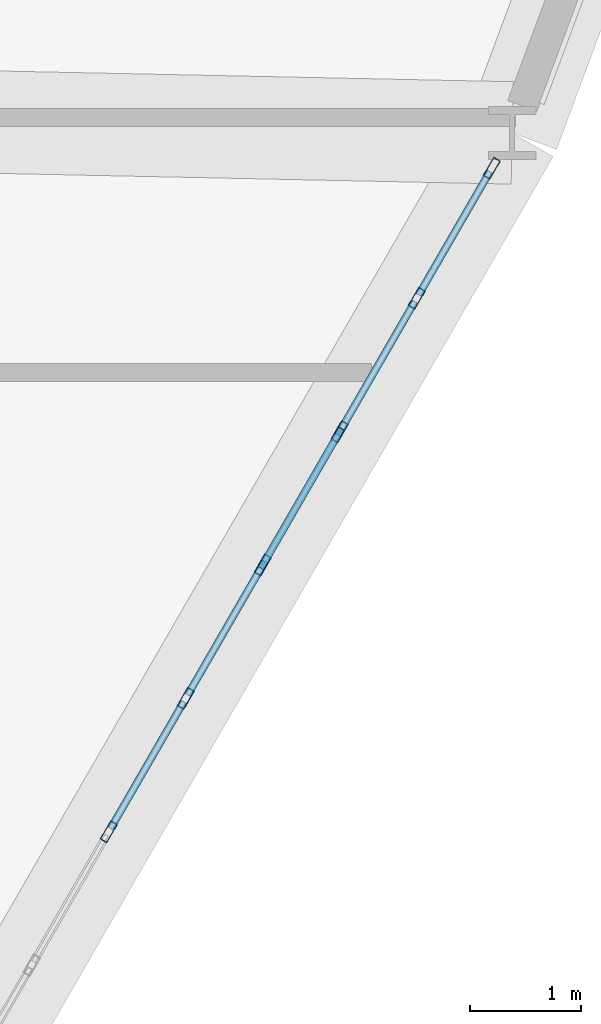
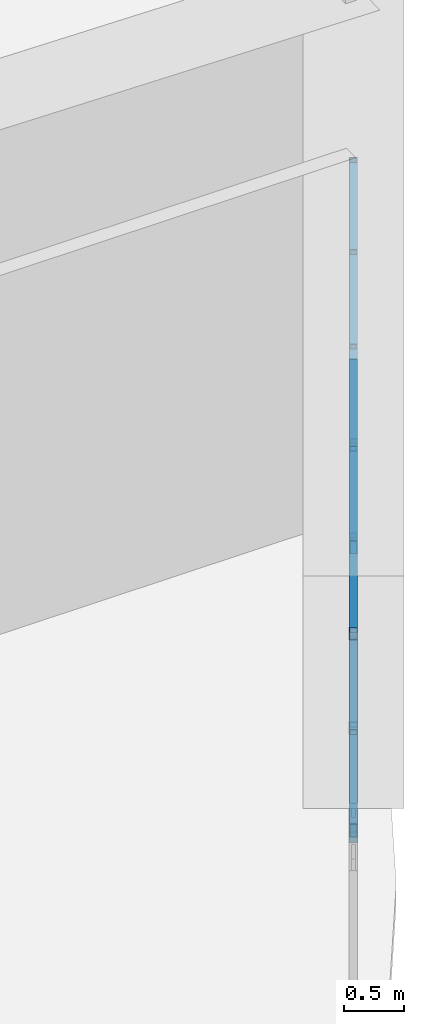
# One storey, part 9 of 20: 17 members, 1 element without a shape of its own.
"""IFC4 building model written with IfcOpenShell, lengths in metres."""

from ifc_helpers import new_model, si_unit, derived_unit, direction, frame, origin, origin_2d, place, context, subcontext, project, spatial, hollow_rectangle, extrude, source, transform, mapped, material, layer, layer_set, material_profile, profile_set, type_object, element, aggregate, save


model = new_model("IFC4")

# Units and contexts
model_context = context("Model", 3, precision=1e-05, world=origin(), true_north=direction((0.0, 1.0)))
body_context = subcontext(model_context, "Body", "Model", "MODEL_VIEW")
ifc_project = project(units=[si_unit("LENGTHUNIT", "METRE"), si_unit("AREAUNIT", "SQUARE_METRE"), si_unit("VOLUMEUNIT", "CUBIC_METRE"), si_unit("PLANEANGLEUNIT", "RADIAN"), si_unit("MASSUNIT", "GRAM", prefix="KILO"), derived_unit("THERMALTRANSMITTANCEUNIT", [(si_unit("POWERUNIT", "WATT"), 1), (si_unit("LENGTHUNIT", "METRE"), -2), (si_unit("THERMODYNAMICTEMPERATUREUNIT", "KELVIN"), -1)])], contexts=[model_context])

# Site, building, storey
site_placement = place(None, origin())
site = spatial("IfcSite", under=ifc_project, at=site_placement, CompositionType="ELEMENT")
building_placement = place(site_placement, origin())
building = spatial("IfcBuilding", under=site, at=building_placement, Name="Korsvarv Bourse and Concert Hall", CompositionType="ELEMENT")
storey_placement = place(building_placement, frame((0.0, 0.0, 39.60009765625)))
storey = spatial("IfcBuildingStorey", under=building, at=storey_placement, Name="L09", CompositionType="ELEMENT", Elevation=39.60009765625)

# Curtain wall, members
ifc_material_1 = material(Name="Anodised aluminium and triple low-E glazing", Category="glass")
ifc_layer = layer(ifc_material_1, 0.219970703125)
ifc_layer_set = layer_set([ifc_layer], Name="Anodised aluminium and triple low-E glazing")
curtain_wall_type = type_object("IfcCurtainWallType", Name="CW-SYS-1", PredefinedType="NOTDEFINED", material=ifc_layer_set)
curtain_wall_placement = place(storey_placement, origin())
curtain_wall = element("IfcCurtainWall", 1, at=curtain_wall_placement, inside=storey, type_object=curtain_wall_type, Name="L09 CW1 curtain wall CW-L09-F11", PredefinedType="NOTDEFINED")
ifc_material_2 = material(Name="Extruded aluminium EN AW-6063 T66", Category="aluminium")
ifc_material_profile_1 = material_profile(ifc_material_2, hollow_rectangle(XDim=0.070068359375, YDim=0.18994140625, WallThickness=0.0048828125, at=origin_2d()), Name="ALU-M 70x190")
ifc_profile_set_1 = profile_set([ifc_material_profile_1], Name="Extruded aluminium EN AW-6063 T66")
member_type_1 = type_object("IfcMemberType", Name="CWM-190", PredefinedType="MULLION", material=ifc_profile_set_1)
shared_shape_1 = source(origin(), body_context, "Body", "SweptSolid", [
    extrude(hollow_rectangle(XDim=0.070068359375, YDim=0.18994140625, WallThickness=0.0048828125, at=origin_2d()), origin(), (0.0, 0.0, 1.0), 2.079833984375),
])
member_1_placement = place(storey_placement, frame((54.880126953125, 25.898193359375, 0.0), z_axis=(0.0, 0.0, 1.0), x_axis=(-0.866025616828, 0.499999630998, 0.0)))
member_1 = element("IfcMember", 2, at=member_1_placement, type_object=member_type_1, Name="CW1 mullion 7", PredefinedType="MULLION", context=body_context, shape_type="MappedRepresentation", body=[
    mapped(shared_shape_1, transform((0.0, 0.0, 0.0), scale=1.0)),
])
member_2_placement = place(storey_placement, frame((55.572021484375, 27.096435546875, 0.0), z_axis=(0.0, 0.0, 1.0), x_axis=(-0.866025616828, 0.499999630998, 0.0)))
member_2 = element("IfcMember", 3, at=member_2_placement, type_object=member_type_1, Name="CW1 mullion 8", PredefinedType="MULLION", context=body_context, shape_type="MappedRepresentation", body=[
    mapped(shared_shape_1, transform((0.0, 0.0, 0.0), scale=1.0)),
])
member_3_placement = place(storey_placement, frame((56.263671875, 28.294677734375, 0.0), z_axis=(0.0, 0.0, 1.0), x_axis=(-0.866025616828, 0.499999630998, 0.0)))
member_3 = element("IfcMember", 4, at=member_3_placement, type_object=member_type_1, Name="CW1 mullion 9", PredefinedType="MULLION", context=body_context, shape_type="MappedRepresentation", body=[
    mapped(shared_shape_1, transform((0.0, 0.0, 0.0), scale=1.0)),
])
member_4_placement = place(storey_placement, frame((56.95556640625, 29.492919921875, 0.0), z_axis=(0.0, 0.0, 1.0), x_axis=(-0.866025616828, 0.499999630998, 0.0)))
member_4 = element("IfcMember", 5, at=member_4_placement, type_object=member_type_1, Name="CW1 mullion 10", PredefinedType="MULLION", context=body_context, shape_type="MappedRepresentation", body=[
    mapped(shared_shape_1, transform((0.0, 0.0, 0.0), scale=1.0)),
])
member_5_placement = place(storey_placement, frame((57.647216796875, 30.691162109375, 0.0), z_axis=(0.0, 0.0, 1.0), x_axis=(-0.866025616828, 0.499999630998, 0.0)))
member_5 = element("IfcMember", 6, at=member_5_placement, type_object=member_type_1, Name="CW1 mullion 11", PredefinedType="MULLION", context=body_context, shape_type="MappedRepresentation", body=[
    mapped(shared_shape_1, transform((0.0, 0.0, 0.0), scale=1.0)),
])
member_6_placement = place(storey_placement, frame((58.321533203125, 31.859130859375, 0.0), z_axis=(0.0, 0.0, 1.0), x_axis=(-0.866025616828, 0.499999630998, 0.0)))
member_6 = element("IfcMember", 7, at=member_6_placement, type_object=member_type_1, Name="CW1 mullion 12", PredefinedType="MULLION", context=body_context, shape_type="MappedRepresentation", body=[
    mapped(shared_shape_1, transform((0.0, 0.0, 0.0), scale=1.0)),
])
ifc_material_profile_2 = material_profile(ifc_material_2, hollow_rectangle(XDim=0.06494140625, YDim=0.139892578125, WallThickness=0.00390625, at=origin_2d()), Name="ALU-T 65x140")
ifc_profile_set_2 = profile_set([ifc_material_profile_2], Name="Extruded aluminium EN AW-6063 T66")
member_type_2 = type_object("IfcMemberType", Name="CWT-140", PredefinedType="USERDEFINED", material=ifc_profile_set_2)
shared_shape_2 = source(origin(), body_context, "Body", "SweptSolid", [
    extrude(hollow_rectangle(XDim=0.06494140625, YDim=0.139892578125, WallThickness=0.00390625, at=origin_2d()), origin(), (0.0, 0.0, 1.0), 1.27880859375),
])
member_7_placement = place(storey_placement, frame((57.664794921875, 30.721435546875, 0.032470703125), z_axis=(0.50001992892, 0.866013897511, 0.0), x_axis=(-0.866013897511, 0.50001992892, 0.0)))
member_7 = element("IfcMember", 8, at=member_7_placement, type_object=member_type_2, Name="CW1 transom 11.1", ObjectType="TRANSOM", PredefinedType="USERDEFINED", context=body_context, shape_type="MappedRepresentation", body=[
    mapped(shared_shape_2, transform((0.0, 0.0, 0.0), scale=1.0)),
])
member_8_placement = place(storey_placement, frame((57.664794921875, 30.721435546875, 2.04736328125), z_axis=(0.50001992892, 0.866013897511, 0.0), x_axis=(-0.866013897511, 0.50001992892, 0.0)))
member_8 = element("IfcMember", 9, at=member_8_placement, type_object=member_type_2, Name="CW1 transom 11.2", ObjectType="TRANSOM", PredefinedType="USERDEFINED", context=body_context, shape_type="MappedRepresentation", body=[
    mapped(shared_shape_2, transform((0.0, 0.0, 0.0), scale=1.0)),
])
shared_shape_3 = source(origin(), body_context, "Body", "SweptSolid", [
    extrude(hollow_rectangle(XDim=0.06494140625, YDim=0.139892578125, WallThickness=0.00390625, at=origin_2d()), origin(), (0.0, 0.0, 1.0), 1.313720703125),
])
member_9_placement = place(storey_placement, frame((56.28125, 28.324951171875, 0.032470703125), z_axis=(0.499936960004, 0.866061796884, 0.0), x_axis=(-0.866061796884, 0.499936960004, 0.0)))
member_9 = element("IfcMember", 10, at=member_9_placement, type_object=member_type_2, Name="CW1 transom 9.1", ObjectType="TRANSOM", PredefinedType="USERDEFINED", context=body_context, shape_type="MappedRepresentation", body=[
    mapped(shared_shape_3, transform((0.0, 0.0, 0.0), scale=1.0)),
])
member_10_placement = place(storey_placement, frame((56.28125, 28.324951171875, 2.04736328125), z_axis=(0.499936960004, 0.866061796884, 0.0), x_axis=(-0.866061796884, 0.499936960004, 0.0)))
member_10 = element("IfcMember", 11, at=member_10_placement, type_object=member_type_2, Name="CW1 transom 9.2", ObjectType="TRANSOM", PredefinedType="USERDEFINED", context=body_context, shape_type="MappedRepresentation", body=[
    mapped(shared_shape_3, transform((0.0, 0.0, 0.0), scale=1.0)),
])
member_11_placement = place(storey_placement, frame((56.972900390625, 29.523193359375, 0.032470703125), z_axis=(0.50007633992, 0.865981324425, 0.0), x_axis=(-0.865981324425, 0.50007633992, 0.0)))
member_11 = element("IfcMember", 12, at=member_11_placement, type_object=member_type_2, Name="CW1 transom 10.1", ObjectType="TRANSOM", PredefinedType="USERDEFINED", context=body_context, shape_type="MappedRepresentation", body=[
    mapped(shared_shape_3, transform((0.0, 0.0, 0.0), scale=1.0)),
])
member_12_placement = place(storey_placement, frame((56.972900390625, 29.523193359375, 2.04736328125), z_axis=(0.50007633992, 0.865981324425, 0.0), x_axis=(-0.865981324425, 0.50007633992, 0.0)))
member_12 = element("IfcMember", 13, at=member_12_placement, type_object=member_type_2, Name="CW1 transom 10.2", ObjectType="TRANSOM", PredefinedType="USERDEFINED", context=body_context, shape_type="MappedRepresentation", body=[
    mapped(shared_shape_3, transform((0.0, 0.0, 0.0), scale=1.0)),
])
shared_shape_4 = source(origin(), body_context, "Body", "SweptSolid", [
    extrude(hollow_rectangle(XDim=0.06494140625, YDim=0.139892578125, WallThickness=0.00390625, at=origin_2d()), origin(), (0.0, 0.0, 1.0), 1.3134765625),
])
member_13_placement = place(storey_placement, frame((54.897705078125, 25.9287109375, 0.032470703125), z_axis=(0.500017439519, 0.866015334839, 0.0), x_axis=(-0.866015334839, 0.500017439519, 0.0)))
member_13 = element("IfcMember", 14, at=member_13_placement, type_object=member_type_2, Name="CW1 transom 7.1", ObjectType="TRANSOM", PredefinedType="USERDEFINED", context=body_context, shape_type="MappedRepresentation", body=[
    mapped(shared_shape_4, transform((0.0, 0.0, 0.0), scale=1.0)),
])
member_14_placement = place(storey_placement, frame((54.897705078125, 25.9287109375, 2.04736328125), z_axis=(0.500017439519, 0.866015334839, 0.0), x_axis=(-0.866015334839, 0.500017439519, 0.0)))
member_14 = element("IfcMember", 15, at=member_14_placement, type_object=member_type_2, Name="CW1 transom 7.2", ObjectType="TRANSOM", PredefinedType="USERDEFINED", context=body_context, shape_type="MappedRepresentation", body=[
    mapped(shared_shape_4, transform((0.0, 0.0, 0.0), scale=1.0)),
])
member_15_placement = place(storey_placement, frame((55.58935546875, 27.126953125, 0.032470703125), z_axis=(0.500156826909, 0.865934840791, 0.0), x_axis=(-0.865934840791, 0.500156826909, 0.0)))
member_15 = element("IfcMember", 16, at=member_15_placement, type_object=member_type_2, Name="CW1 transom 8.1", ObjectType="TRANSOM", PredefinedType="USERDEFINED", context=body_context, shape_type="MappedRepresentation", body=[
    mapped(shared_shape_4, transform((0.0, 0.0, 0.0), scale=1.0)),
])
member_16_placement = place(storey_placement, frame((55.58935546875, 27.126953125, 2.04736328125), z_axis=(0.500156826909, 0.865934840791, 0.0), x_axis=(-0.865934840791, 0.500156826909, 0.0)))
member_16 = element("IfcMember", 17, at=member_16_placement, type_object=member_type_2, Name="CW1 transom 8.2", ObjectType="TRANSOM", PredefinedType="USERDEFINED", context=body_context, shape_type="MappedRepresentation", body=[
    mapped(shared_shape_4, transform((0.0, 0.0, 0.0), scale=1.0)),
])
ifc_material_profile_3 = material_profile(ifc_material_2, hollow_rectangle(XDim=0.06494140625, YDim=0.1650390625, WallThickness=0.0048828125, at=origin_2d()), Name="ALU-M 65x165")
ifc_profile_set_3 = profile_set([ifc_material_profile_3], Name="Extruded aluminium EN AW-6063 T66")
member_type_3 = type_object("IfcMemberType", Name="CWM-165", PredefinedType="MULLION", material=ifc_profile_set_3)
shared_shape_5 = source(origin(), body_context, "Body", "SweptSolid", [
    extrude(hollow_rectangle(XDim=0.06494140625, YDim=0.1650390625, WallThickness=0.0048828125, at=origin_2d()), origin(), (0.0, 0.0, 1.0), 2.35107421875),
])
member_17_placement = place(storey_placement, frame((56.28125, 28.324951171875, 0.06494140625), z_axis=(0.279324915008, 0.483886283992, 0.82935616958), x_axis=(-0.866061796884, 0.499936960004, 0.0)))
member_17 = element("IfcMember", 18, at=member_17_placement, type_object=member_type_3, Name="CW1 diagonal mullion 9", PredefinedType="MULLION", context=body_context, shape_type="MappedRepresentation", body=[
    mapped(shared_shape_5, transform((0.0, 0.0, 0.0), scale=1.0)),
])
aggregate(curtain_wall, [member_1, member_2, member_3, member_4, member_5, member_6, member_13, member_14, member_15, member_16, member_9, member_10, member_17, member_11, member_12, member_7, member_8])

save(model, "model.ifc")
